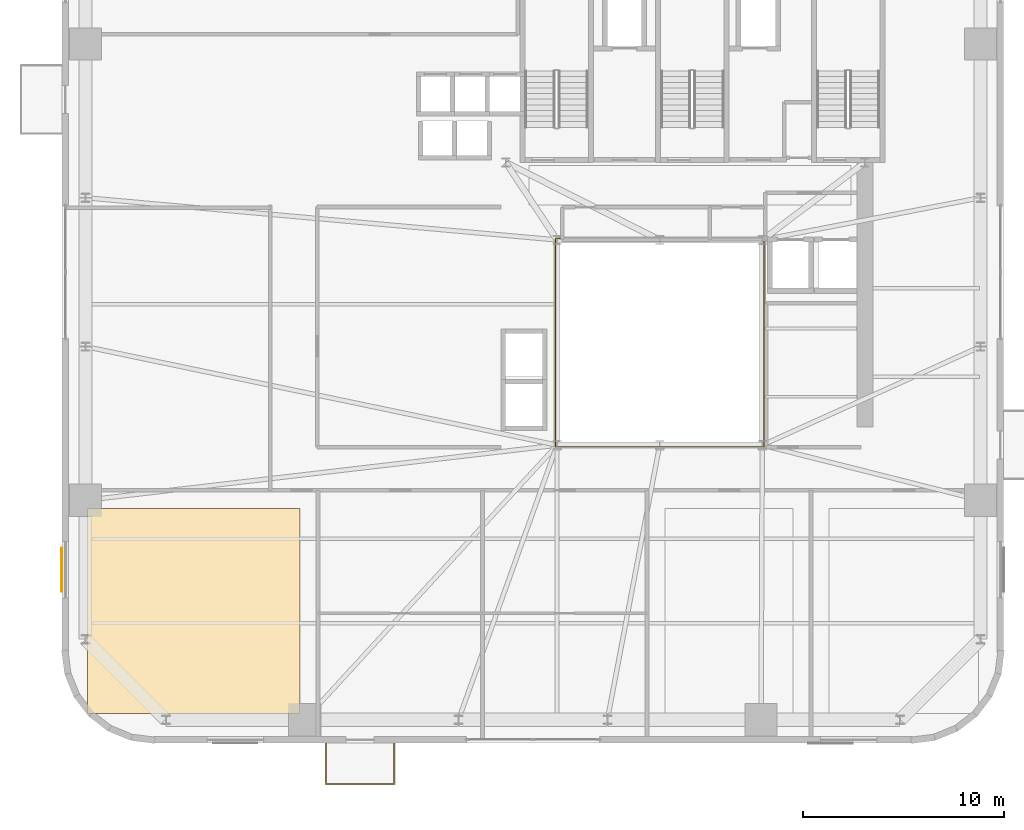
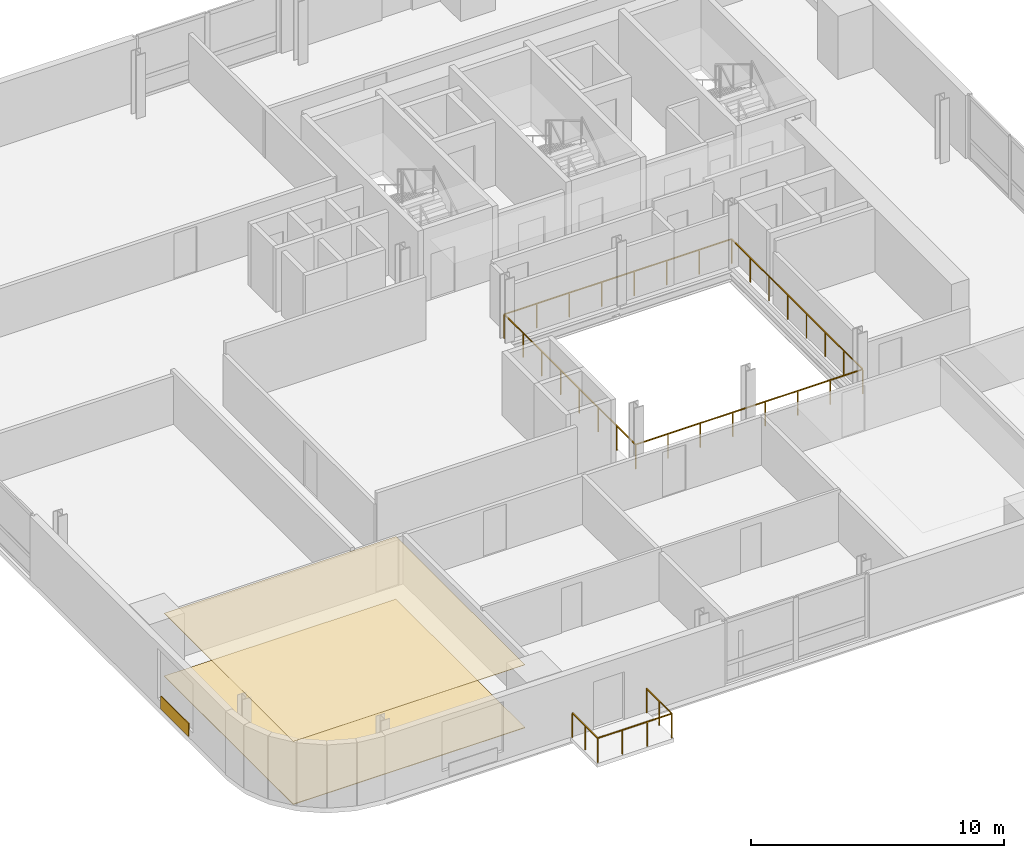
# One storey, part 10 of 14: 3 coverings, 2 railings.
"""IFC4 building model written with IfcOpenShell, lengths in metres."""

from ifc_helpers import new_model, si_unit, direction, frame, origin, origin_2d, place, context, subcontext, project, spatial, polyline, rectangle, outline, extrude, source, transform, mapped, material, layer, layer_set, type_object, element, save


model = new_model("IFC4")

# Units and contexts
model_context = context("Model", 3, precision=1e-05, world=origin(), true_north=direction((0.0, 1.0)))
body_context = subcontext(model_context, "Body", "Model", "MODEL_VIEW")
ifc_project = project(units=[si_unit("LENGTHUNIT", "METRE"), si_unit("AREAUNIT", "SQUARE_METRE"), si_unit("VOLUMEUNIT", "CUBIC_METRE"), si_unit("PLANEANGLEUNIT", "RADIAN"), si_unit("MASSUNIT", "GRAM", prefix="KILO")], contexts=[model_context])

# Site, building, storey
site_placement = place(None, origin())
site = spatial("IfcSite", under=ifc_project, at=site_placement, CompositionType="ELEMENT")
building_placement = place(site_placement, origin())
building = spatial("IfcBuilding", under=site, at=building_placement, Name="Vardaveli Station Tower", CompositionType="ELEMENT")
storey_placement = place(building_placement, frame((0.0, 0.0, 163.10009765625)))
storey = spatial("IfcBuildingStorey", under=building, at=storey_placement, Name="L42", CompositionType="ELEMENT", Elevation=163.10009765625)

# Coverings
ifc_material_1 = material(Name="Perforated acoustic mineral ceiling")
ifc_layer_1 = layer(ifc_material_1, 0.02001953125, Name="Perforated acoustic mineral ceiling")
ifc_layer_set_1 = layer_set([ifc_layer_1], Name="Perforated acoustic mineral ceiling")
covering_type_1 = type_object("IfcCoveringType", Name="COV-CEIL-AC20", PredefinedType="CEILING", material=ifc_layer_set_1)
covering_1_placement = place(storey_placement, frame((0.0, 0.0, 3.034912109375)))
element("IfcCovering", 1, at=covering_1_placement, inside=storey, type_object=covering_type_1, Name="CEIL-L42-1", PredefinedType="CEILING", context=body_context, shape_type="SweptSolid", body=[
    extrude(outline(polyline([(7.85009765625, 3.25), (18.419921875, 3.25), (18.419921875, 13.449951171875), (7.85009765625, 13.449951171875), (7.85009765625, 3.25)])), origin(), (0.0, 0.0, 1.0), 0.02001953125),
])
ifc_material_2 = material(Name="Honed Caucasian basalt and travertine flooring", Category="masonry")
ifc_layer_2 = layer(ifc_material_2, 0.030029296875, Name="Honed Caucasian basalt and travertine flooring")
ifc_layer_set_2 = layer_set([ifc_layer_2], Name="Honed Caucasian basalt and travertine flooring")
covering_type_2 = type_object("IfcCoveringType", Name="COV-FLOOR-ST30", PredefinedType="FLOORING", material=ifc_layer_set_2)
covering_2_placement = place(storey_placement, origin())
element("IfcCovering", 2, at=covering_2_placement, inside=storey, type_object=covering_type_2, Name="FLR-L42-1", PredefinedType="FLOORING", context=body_context, shape_type="SweptSolid", body=[
    extrude(outline(polyline([(7.85009765625, 3.25), (18.419921875, 3.25), (18.419921875, 13.449951171875), (7.85009765625, 13.449951171875), (7.85009765625, 3.25)])), origin(), (0.0, 0.0, 1.0), 0.02978515625),
])
ifc_material_3 = material(Name="Ventilated honed travertine stone cladding", Category="masonry")
ifc_layer_3 = layer(ifc_material_3, 0.044921875, Name="Ventilated honed travertine stone cladding")
ifc_layer_set_3 = layer_set([ifc_layer_3], Name="Ventilated honed travertine stone cladding")
covering_type_3 = type_object("IfcCoveringType", Name="COV-CLAD-TR45", PredefinedType="CLADDING", material=ifc_layer_set_3)
shared_shape_1 = source(origin(), body_context, "Body", "SweptSolid", [
    extrude(rectangle(XDim=2.199951171875, YDim=0.044921875, at=origin_2d()), origin(), (0.0, 0.0, 1.0), 0.6201171875),
])
covering_3_placement = place(storey_placement, frame((6.58544921875, 10.405029296875, 0.06982421875), z_axis=(0.0, 0.0, 1.0), x_axis=(0.0, 1.0, 0.0)))
element("IfcCovering", 3, at=covering_3_placement, inside=storey, type_object=covering_type_3, Name="CLD-TR-L42-W", PredefinedType="CLADDING", context=body_context, shape_type="MappedRepresentation", body=[
    mapped(shared_shape_1, transform((0.0, 0.0, 0.0), scale=1.0)),
])

# Railings
ifc_material_4 = material(Name="Laminated glass and stainless steel balustrade", Category="steel")
railing_type = type_object("IfcRailingType", Name="RL-BAL-1200", PredefinedType="BALUSTRADE", material=ifc_material_4)
shared_shape_2 = source(origin(), body_context, "Body", "SweptSolid", [
    extrude(rectangle(XDim=0.048095703125, YDim=0.048095703125, at=origin_2d()), frame((0.0, 0.0, 1.17578125), z_axis=(0.0, -1.0, 0.0), x_axis=(1.0, 0.0, 0.0)), (0.0, 0.0, 1.0), 2.0),
    extrude(rectangle(XDim=0.048095703125, YDim=0.048095703125, at=origin_2d()), frame((0.0, -2.0, 1.17578125), z_axis=(1.0, 0.0, 0.0), x_axis=(0.0, 1.0, 0.0)), (0.0, 0.0, 1.0), 3.3798828125),
    extrude(rectangle(XDim=0.048095703125, YDim=0.048095703125, at=origin_2d()), frame((3.3798828125, -2.0, 1.17578125), z_axis=(0.0, 1.0, 0.0), x_axis=(-1.0, 0.0, 0.0)), (0.0, 0.0, 1.0), 2.0),
    extrude(rectangle(XDim=0.0419921875, YDim=0.0419921875, at=origin_2d()), origin(), (0.0, 0.0, 1.0), 1.15185546875),
    extrude(rectangle(XDim=0.0419921875, YDim=0.0419921875, at=origin_2d()), frame((0.0, -1.0, 0.0)), (0.0, 0.0, 1.0), 1.15185546875),
    extrude(rectangle(XDim=0.0419921875, YDim=0.0419921875, at=origin_2d()), frame((0.0, -2.0, 0.0)), (0.0, 0.0, 1.0), 1.15185546875),
    extrude(rectangle(XDim=0.0419921875, YDim=0.0419921875, at=origin_2d()), frame((1.126708984375, -2.0, 0.0)), (0.0, 0.0, 1.0), 1.15185546875),
    extrude(rectangle(XDim=0.0419921875, YDim=0.0419921875, at=origin_2d()), frame((2.253173828125, -2.0, 0.0)), (0.0, 0.0, 1.0), 1.15185546875),
    extrude(rectangle(XDim=0.0419921875, YDim=0.0419921875, at=origin_2d()), frame((3.3798828125, -2.0, 0.0)), (0.0, 0.0, 1.0), 1.15185546875),
    extrude(rectangle(XDim=0.0419921875, YDim=0.0419921875, at=origin_2d()), frame((3.3798828125, -1.0, 0.0)), (0.0, 0.0, 1.0), 1.15185546875),
    extrude(rectangle(XDim=0.0419921875, YDim=0.0419921875, at=origin_2d()), frame((3.3798828125, 0.0, 0.0)), (0.0, 0.0, 1.0), 1.15185546875),
])
railing_1_placement = place(storey_placement, frame((19.720458984375, 1.760009765625, 0.0)))
element("IfcRailing", 4, at=railing_1_placement, inside=storey, type_object=railing_type, Name="RL-LOG-L42-01", PredefinedType="BALUSTRADE", context=body_context, shape_type="MappedRepresentation", body=[
    mapped(shared_shape_2, transform((0.0, 0.0, 0.0), scale=1.0)),
])
shared_shape_3 = source(origin(), body_context, "Body", "SweptSolid", [
    extrude(rectangle(XDim=0.048095703125, YDim=0.048095703125, at=origin_2d()), frame((0.0, 0.0, 1.17578125), z_axis=(1.0, 0.0, 0.0), x_axis=(0.0, 1.0, 0.0)), (0.0, 0.0, 1.0), 10.35986328125),
    extrude(rectangle(XDim=0.048095703125, YDim=0.048095703125, at=origin_2d()), frame((10.35986328125, 0.0, 1.17578125), z_axis=(0.0, 1.0, 0.0), x_axis=(-1.0, 0.0, 0.0)), (0.0, 0.0, 1.0), 10.35986328125),
    extrude(rectangle(XDim=0.048095703125, YDim=0.048095703125, at=origin_2d()), frame((10.35986328125, 10.35986328125, 1.17578125), z_axis=(-1.0, 0.0, 0.0), x_axis=(0.0, -1.0, 0.0)), (0.0, 0.0, 1.0), 10.35986328125),
    extrude(rectangle(XDim=0.048095703125, YDim=0.048095703125, at=origin_2d()), frame((0.0, 10.35986328125, 1.17578125), z_axis=(0.0, -1.0, 0.0), x_axis=(1.0, 0.0, 0.0)), (0.0, 0.0, 1.0), 10.35986328125),
    extrude(rectangle(XDim=0.0419921875, YDim=0.0419921875, at=origin_2d()), origin(), (0.0, 0.0, 1.0), 1.15185546875),
    extrude(rectangle(XDim=0.0419921875, YDim=0.0419921875, at=origin_2d()), frame((1.47998046875, 0.0, 0.0)), (0.0, 0.0, 1.0), 1.15185546875),
    extrude(rectangle(XDim=0.0419921875, YDim=0.0419921875, at=origin_2d()), frame((2.9599609375, 0.0, 0.0)), (0.0, 0.0, 1.0), 1.15185546875),
    extrude(rectangle(XDim=0.0419921875, YDim=0.0419921875, at=origin_2d()), frame((4.43994140625, 0.0, 0.0)), (0.0, 0.0, 1.0), 1.15185546875),
    extrude(rectangle(XDim=0.0419921875, YDim=0.0419921875, at=origin_2d()), frame((5.919921875, 0.0, 0.0)), (0.0, 0.0, 1.0), 1.15185546875),
    extrude(rectangle(XDim=0.0419921875, YDim=0.0419921875, at=origin_2d()), frame((7.39990234375, 0.0, 0.0)), (0.0, 0.0, 1.0), 1.15185546875),
    extrude(rectangle(XDim=0.0419921875, YDim=0.0419921875, at=origin_2d()), frame((8.8798828125, 0.0, 0.0)), (0.0, 0.0, 1.0), 1.15185546875),
    extrude(rectangle(XDim=0.0419921875, YDim=0.0419921875, at=origin_2d()), frame((10.35986328125, 0.0, 0.0)), (0.0, 0.0, 1.0), 1.15185546875),
    extrude(rectangle(XDim=0.0419921875, YDim=0.0419921875, at=origin_2d()), frame((10.35986328125, 1.47998046875, 0.0)), (0.0, 0.0, 1.0), 1.15185546875),
    extrude(rectangle(XDim=0.0419921875, YDim=0.0419921875, at=origin_2d()), frame((10.35986328125, 2.9599609375, 0.0)), (0.0, 0.0, 1.0), 1.15185546875),
    extrude(rectangle(XDim=0.0419921875, YDim=0.0419921875, at=origin_2d()), frame((10.35986328125, 4.43994140625, 0.0)), (0.0, 0.0, 1.0), 1.15185546875),
    extrude(rectangle(XDim=0.0419921875, YDim=0.0419921875, at=origin_2d()), frame((10.35986328125, 5.919921875, 0.0)), (0.0, 0.0, 1.0), 1.15185546875),
    extrude(rectangle(XDim=0.0419921875, YDim=0.0419921875, at=origin_2d()), frame((10.35986328125, 7.39990234375, 0.0)), (0.0, 0.0, 1.0), 1.15185546875),
    extrude(rectangle(XDim=0.0419921875, YDim=0.0419921875, at=origin_2d()), frame((10.35986328125, 8.8798828125, 0.0)), (0.0, 0.0, 1.0), 1.15185546875),
    extrude(rectangle(XDim=0.0419921875, YDim=0.0419921875, at=origin_2d()), frame((10.35986328125, 10.35986328125, 0.0)), (0.0, 0.0, 1.0), 1.15185546875),
    extrude(rectangle(XDim=0.0419921875, YDim=0.0419921875, at=origin_2d()), frame((8.8798828125, 10.35986328125, 0.0)), (0.0, 0.0, 1.0), 1.15185546875),
    extrude(rectangle(XDim=0.0419921875, YDim=0.0419921875, at=origin_2d()), frame((7.39990234375, 10.35986328125, 0.0)), (0.0, 0.0, 1.0), 1.15185546875),
    extrude(rectangle(XDim=0.0419921875, YDim=0.0419921875, at=origin_2d()), frame((5.919921875, 10.35986328125, 0.0)), (0.0, 0.0, 1.0), 1.15185546875),
    extrude(rectangle(XDim=0.0419921875, YDim=0.0419921875, at=origin_2d()), frame((4.43994140625, 10.35986328125, 0.0)), (0.0, 0.0, 1.0), 1.15185546875),
    extrude(rectangle(XDim=0.0419921875, YDim=0.0419921875, at=origin_2d()), frame((2.9599609375, 10.35986328125, 0.0)), (0.0, 0.0, 1.0), 1.15185546875),
    extrude(rectangle(XDim=0.0419921875, YDim=0.0419921875, at=origin_2d()), frame((1.47998046875, 10.35986328125, 0.0)), (0.0, 0.0, 1.0), 1.15185546875),
    extrude(rectangle(XDim=0.0419921875, YDim=0.0419921875, at=origin_2d()), frame((0.0, 10.35986328125, 0.0)), (0.0, 0.0, 1.0), 1.15185546875),
    extrude(rectangle(XDim=0.0419921875, YDim=0.0419921875, at=origin_2d()), frame((0.0, 8.8798828125, 0.0)), (0.0, 0.0, 1.0), 1.15185546875),
    extrude(rectangle(XDim=0.0419921875, YDim=0.0419921875, at=origin_2d()), frame((0.0, 7.39990234375, 0.0)), (0.0, 0.0, 1.0), 1.15185546875),
    extrude(rectangle(XDim=0.0419921875, YDim=0.0419921875, at=origin_2d()), frame((0.0, 5.919921875, 0.0)), (0.0, 0.0, 1.0), 1.15185546875),
    extrude(rectangle(XDim=0.0419921875, YDim=0.0419921875, at=origin_2d()), frame((0.0, 4.43994140625, 0.0)), (0.0, 0.0, 1.0), 1.15185546875),
    extrude(rectangle(XDim=0.0419921875, YDim=0.0419921875, at=origin_2d()), frame((0.0, 2.9599609375, 0.0)), (0.0, 0.0, 1.0), 1.15185546875),
    extrude(rectangle(XDim=0.0419921875, YDim=0.0419921875, at=origin_2d()), frame((0.0, 1.47998046875, 0.0)), (0.0, 0.0, 1.0), 1.15185546875),
])
railing_2_placement = place(storey_placement, frame((31.1201171875, 16.52001953125, 0.0)))
element("IfcRailing", 5, at=railing_2_placement, inside=storey, type_object=railing_type, Name="RL-ATR-L42", PredefinedType="BALUSTRADE", context=body_context, shape_type="MappedRepresentation", body=[
    mapped(shared_shape_3, transform((0.0, 0.0, 0.0), scale=1.0)),
])

save(model, "model.ifc")
